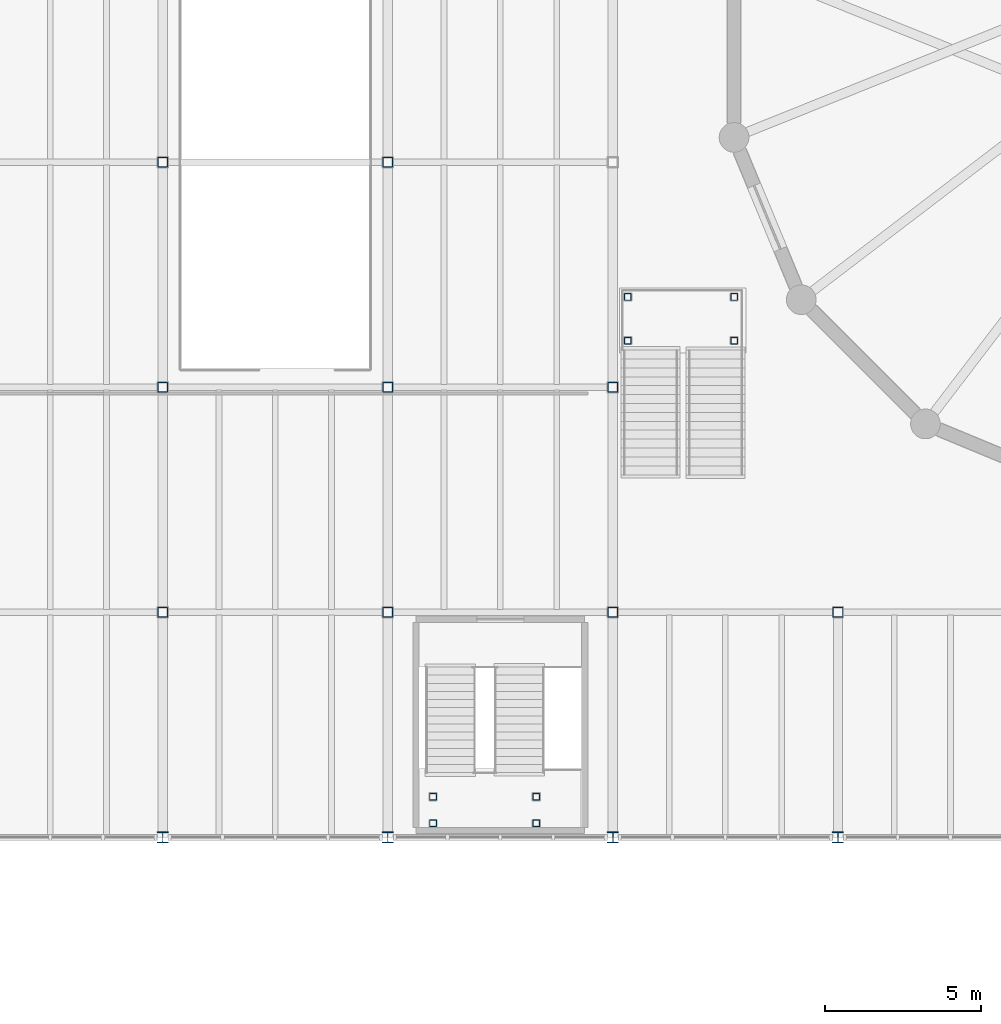
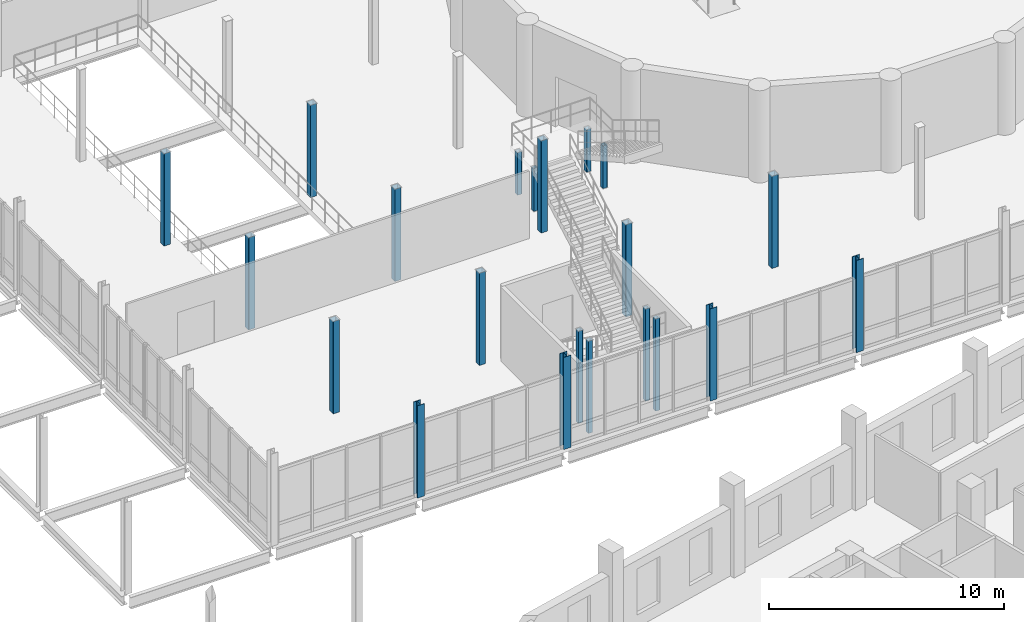
# One storey, part 4 of 77: 21 columns.
"""IFC4 building model written with IfcOpenShell, lengths in metres."""

from ifc_helpers import new_model, si_unit, direction, frame, origin, origin_2d, place, context, subcontext, project, spatial, hollow_rectangle, i_section, extrude, material, material_profile, profile_set, type_object, element, save


model = new_model("IFC4")

# Units and contexts
model_context = context("Model", 3, precision=1e-05, world=origin(), true_north=direction((0.0, 1.0)))
body_context = subcontext(model_context, "Body", "Model", "MODEL_VIEW")
ifc_project = project(units=[si_unit("LENGTHUNIT", "METRE"), si_unit("AREAUNIT", "SQUARE_METRE"), si_unit("VOLUMEUNIT", "CUBIC_METRE"), si_unit("PLANEANGLEUNIT", "RADIAN"), si_unit("MASSUNIT", "GRAM", prefix="KILO")], contexts=[model_context])

# Site, building, storey
site_placement = place(None, origin())
site = spatial("IfcSite", under=ifc_project, at=site_placement, CompositionType="ELEMENT")
building_placement = place(site_placement, origin())
building = spatial("IfcBuilding", under=site, at=building_placement, Name="Qiaolan Assembly House", CompositionType="ELEMENT")
storey_placement = place(building_placement, frame((0.0, 0.0, 5.39990234375)))
storey = spatial("IfcBuildingStorey", under=building, at=storey_placement, Name="L01", CompositionType="ELEMENT", Elevation=5.39990234375)

# Columns
ifc_material = material(Name="Steel Q355B", Category="steel")
ifc_material_profile_1 = material_profile(ifc_material, i_section(OverallWidth=0.35009765625, OverallDepth=0.35009765625, WebThickness=0.011962890625, FlangeThickness=0.01904296875, FilletRadius=0.02001953125, at=origin_2d()), Name="HW 350x350x12x19")
ifc_profile_set_1 = profile_set([ifc_material_profile_1], Name="Steel Q355B")
column_type_1 = type_object("IfcColumnType", Name="COL-STL-HW350", PredefinedType="COLUMN", material=ifc_profile_set_1)
for number, where, z_axis, x_axis, name in (
    (1, (36.0, 36.0, 0.0), (0.0, 0.0, 1.0), (1.0, 0.0, 0.0), "SC-02 hall column L01"),
    (2, (43.199951171875, 36.0, 0.0), (0.0, 0.0, 1.0), (1.0, 0.0, 0.0), "SC-02 hall column L01"),
    (3, (50.39990234375, 36.0, 0.0), (0.0, 0.0, 1.0), (1.0, 0.0, 0.0), "SC-02 hall column L01"),
    (4, (57.60009765625, 36.0, 0.0), (0.0, 0.0, 1.0), (1.0, 0.0, 0.0), "SC-02 hall column L01"),
):
    element("IfcColumn", number, at=place(storey_placement, frame(where, z_axis=z_axis, x_axis=x_axis)), inside=storey, type_object=column_type_1, Name=name, PredefinedType="COLUMN", context=body_context, shape_type="SweptSolid", body=[
        extrude(i_section(OverallWidth=0.35009765625, OverallDepth=0.35009765625, WebThickness=0.011962890625, FlangeThickness=0.01904296875, FilletRadius=0.02001953125, at=origin_2d()), origin(), (0.0, 0.0, 1.0), 4.800048828125),
    ])
ifc_material_profile_2 = material_profile(ifc_material, hollow_rectangle(XDim=0.219970703125, YDim=0.219970703125, WallThickness=0.010009765625, InnerFilletRadius=0.010009765625, OuterFilletRadius=0.02001953125, at=origin_2d()), Name="SHS 220x220x10")
ifc_profile_set_2 = profile_set([ifc_material_profile_2], Name="Steel Q355B")
column_type_2 = type_object("IfcColumnType", Name="COL-STL-SHS220", PredefinedType="COLUMN", material=ifc_profile_set_2)
for number, where, z_axis, x_axis, name in (
    (5, (50.8798828125, 51.889892578125, 0.0), (0.0, 0.0, 1.0), (1.0, 0.0, 0.0), "SC-08 gallery stair support column ST-G1-1"),
    (6, (54.280029296875, 51.889892578125, 0.0), (0.0, 0.0, 1.0), (1.0, 0.0, 0.0), "SC-08 gallery stair support column ST-G1-2"),
    (7, (50.8798828125, 53.2900390625, 0.0), (0.0, 0.0, 1.0), (1.0, 0.0, 0.0), "SC-08 gallery stair support column ST-G1-3"),
    (8, (54.280029296875, 53.2900390625, 0.0), (0.0, 0.0, 1.0), (1.0, 0.0, 0.0), "SC-08 gallery stair support column ST-G1-4"),
):
    element("IfcColumn", number, at=place(storey_placement, frame(where, z_axis=z_axis, x_axis=x_axis)), inside=storey, type_object=column_type_2, Name=name, PredefinedType="COLUMN", context=body_context, shape_type="SweptSolid", body=[
        extrude(hollow_rectangle(XDim=0.219970703125, YDim=0.219970703125, WallThickness=0.010009765625, InnerFilletRadius=0.010009765625, OuterFilletRadius=0.02001953125, at=origin_2d()), origin(), (0.0, 0.0, 1.0), 2.22021484375),
    ])
for number, where, z_axis, x_axis, name in (
    (9, (44.64990234375, 36.449951171875, 0.0), (0.0, 0.0, 1.0), (1.0, 0.0, 0.0), "SC-08 foyer stair L01 column F1-1"),
    (10, (47.949951171875, 36.449951171875, 0.0), (0.0, 0.0, 1.0), (1.0, 0.0, 0.0), "SC-08 foyer stair L01 column F1-2"),
    (11, (44.64990234375, 37.300048828125, 0.0), (0.0, 0.0, 1.0), (1.0, 0.0, 0.0), "SC-08 foyer stair L01 column F1-3"),
    (12, (47.949951171875, 37.300048828125, 0.0), (0.0, 0.0, 1.0), (1.0, 0.0, 0.0), "SC-08 foyer stair L01 column F1-4"),
):
    element("IfcColumn", number, at=place(storey_placement, frame(where, z_axis=z_axis, x_axis=x_axis)), inside=storey, type_object=column_type_2, Name=name, PredefinedType="COLUMN", context=body_context, shape_type="SweptSolid", body=[
        extrude(hollow_rectangle(XDim=0.219970703125, YDim=0.219970703125, WallThickness=0.010009765625, InnerFilletRadius=0.010009765625, OuterFilletRadius=0.02001953125, at=origin_2d()), origin(), (0.0, 0.0, 1.0), 4.800048828125),
    ])
ifc_material_profile_3 = material_profile(ifc_material, hollow_rectangle(XDim=0.320068359375, YDim=0.320068359375, WallThickness=0.011962890625, InnerFilletRadius=0.011962890625, OuterFilletRadius=0.02392578125, at=origin_2d()), Name="SHS 320x320x12")
ifc_profile_set_3 = profile_set([ifc_material_profile_3], Name="Steel Q355B")
column_type_3 = type_object("IfcColumnType", Name="COL-STL-SHS320", PredefinedType="COLUMN", material=ifc_profile_set_3)
for number, where, z_axis, x_axis, name in (
    (13, (36.0, 43.199951171875, 0.0), (0.0, 0.0, 1.0), (1.0, 0.0, 0.0), "SC-09 hall column L01"),
    (14, (36.0, 50.39990234375, 0.0), (0.0, 0.0, 1.0), (1.0, 0.0, 0.0), "SC-09 hall column L01"),
    (15, (36.0, 57.60009765625, 0.0), (0.0, 0.0, 1.0), (1.0, 0.0, 0.0), "SC-09 hall column L01"),
    (16, (43.199951171875, 43.199951171875, 0.0), (0.0, 0.0, 1.0), (1.0, 0.0, 0.0), "SC-09 hall column L01"),
    (17, (43.199951171875, 50.39990234375, 0.0), (0.0, 0.0, 1.0), (1.0, 0.0, 0.0), "SC-09 hall column L01"),
    (18, (43.199951171875, 57.60009765625, 0.0), (0.0, 0.0, 1.0), (1.0, 0.0, 0.0), "SC-09 hall column L01"),
    (19, (50.39990234375, 43.199951171875, 0.0), (0.0, 0.0, 1.0), (1.0, 0.0, 0.0), "SC-09 hall column L01"),
    (20, (50.39990234375, 50.39990234375, 0.0), (0.0, 0.0, 1.0), (1.0, 0.0, 0.0), "SC-09 hall column L01"),
    (21, (57.60009765625, 43.199951171875, 0.0), (0.0, 0.0, 1.0), (1.0, 0.0, 0.0), "SC-09 hall column L01"),
):
    element("IfcColumn", number, at=place(storey_placement, frame(where, z_axis=z_axis, x_axis=x_axis)), inside=storey, type_object=column_type_3, Name=name, PredefinedType="COLUMN", context=body_context, shape_type="SweptSolid", body=[
        extrude(hollow_rectangle(XDim=0.320068359375, YDim=0.320068359375, WallThickness=0.011962890625, InnerFilletRadius=0.011962890625, OuterFilletRadius=0.02392578125, at=origin_2d()), origin(), (0.0, 0.0, 1.0), 4.800048828125),
    ])

save(model, "model.ifc")
